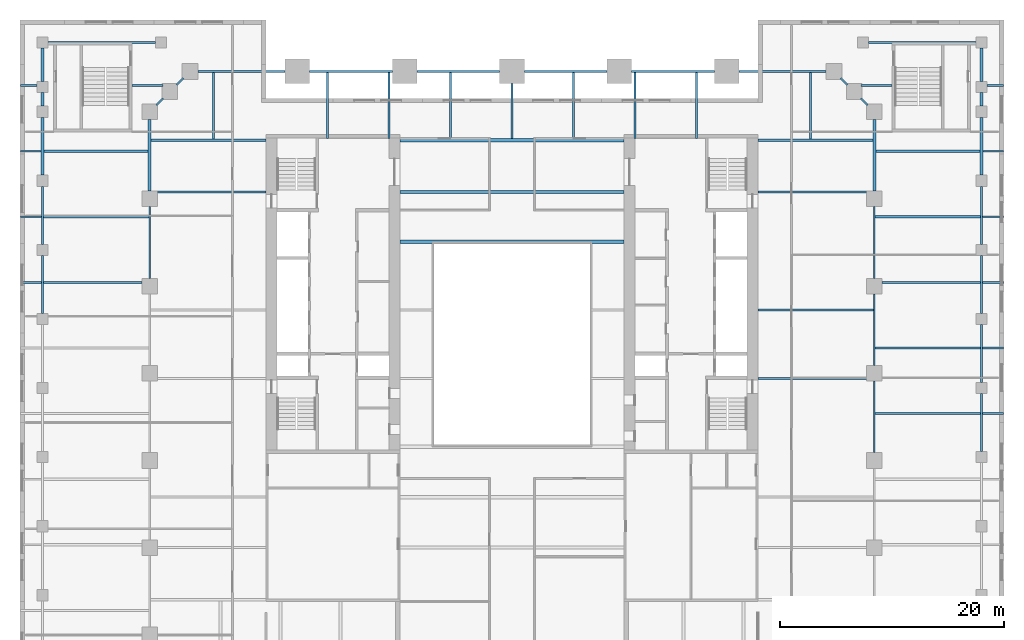
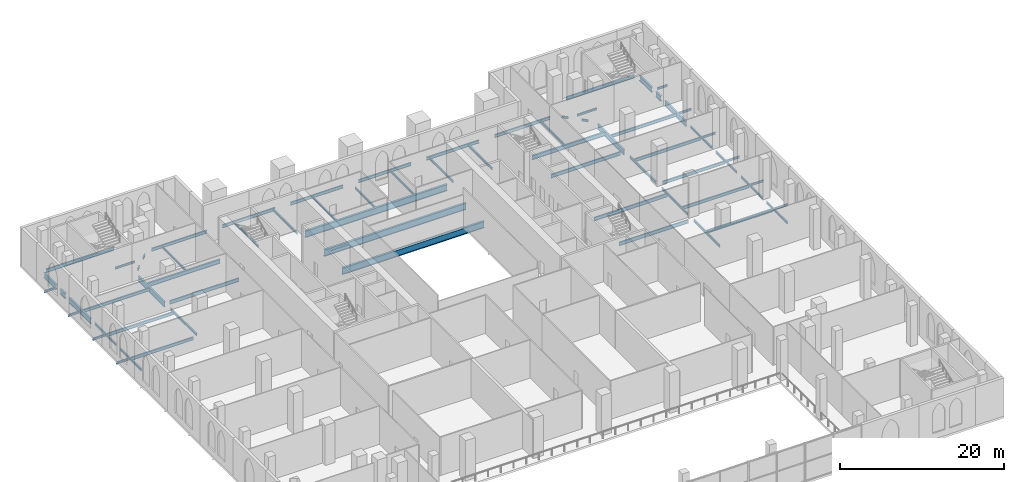
# One storey, part 6 of 21: 68 beams.
"""IFC4 building model written with IfcOpenShell, lengths in metres."""

from ifc_helpers import new_model, si_unit, direction, frame, origin, origin_2d, place, context, subcontext, project, spatial, i_section, extrude, material, material_profile, profile_set, type_object, element, save


model = new_model("IFC4")

# Units and contexts
model_context = context("Model", 3, precision=1e-05, world=origin(), true_north=direction((0.0, 1.0)))
body_context = subcontext(model_context, "Body", "Model", "MODEL_VIEW")
ifc_project = project(units=[si_unit("LENGTHUNIT", "METRE"), si_unit("AREAUNIT", "SQUARE_METRE"), si_unit("VOLUMEUNIT", "CUBIC_METRE"), si_unit("PLANEANGLEUNIT", "RADIAN"), si_unit("MASSUNIT", "GRAM", prefix="KILO")], contexts=[model_context])

# Site, building, storey
site_placement = place(None, origin())
site = spatial("IfcSite", under=ifc_project, at=site_placement, CompositionType="ELEMENT")
building_placement = place(site_placement, origin())
building = spatial("IfcBuilding", under=site, at=building_placement, Name="Ogive Exchange Tower", CompositionType="ELEMENT")
storey_placement = place(building_placement, frame((0.0, 0.0, 8.0)))
storey = spatial("IfcBuildingStorey", under=building, at=storey_placement, Name="L01", CompositionType="ELEMENT", Elevation=8.0)

# Beams
ifc_material = material(Name="Steel ASTM A992 Gr50", Category="steel")
ifc_material_profile_1 = material_profile(ifc_material, i_section(OverallWidth=0.300048828125, OverallDepth=0.969970703125, WebThickness=0.01611328125, FlangeThickness=0.02099609375, at=origin_2d()), Name="W1000x222")
ifc_profile_set_1 = profile_set([ifc_material_profile_1], Name="Steel ASTM A992 Gr50")
beam_type_1 = type_object("IfcBeamType", Name="Floor beam W1000x222", PredefinedType="JOIST", material=ifc_profile_set_1)
beam_1_placement = place(storey_placement, frame((-10.0, 20.62255859375, -0.784912109375), z_axis=(1.0, 0.0, 0.0), x_axis=(0.0, 1.0, 0.0)))
element("IfcBeam", 1, at=beam_1_placement, inside=storey, type_object=beam_type_1, Name="Floor beam", PredefinedType="JOIST", context=body_context, shape_type="SweptSolid", body=[
    extrude(i_section(OverallWidth=0.300048828125, OverallDepth=0.969970703125, WebThickness=0.01611328125, FlangeThickness=0.02099609375, at=origin_2d()), origin(), (0.0, 0.0, 1.0), 20.0),
])
ifc_material_profile_2 = material_profile(ifc_material, i_section(OverallWidth=0.1650390625, OverallDepth=0.31005859375, WebThickness=0.005859375, FlangeThickness=0.009765625, at=origin_2d()), Name="W310x38.7")
ifc_profile_set_2 = profile_set([ifc_material_profile_2], Name="Steel ASTM A992 Gr50")
beam_type_2 = type_object("IfcBeamType", Name="Floor beam W310x38.7", PredefinedType="JOIST", material=ifc_profile_set_2)
for number, where, z_axis, x_axis, name in (
    (2, (-16.5, 25.39990234375, -0.455078125), (0.0, 1.0, 0.0), (-1.0, 0.0, 0.0), "Floor beam"),
    (3, (-11.0, 25.39990234375, -0.455078125), (0.0, 1.0, 0.0), (-1.0, 0.0, 0.0), "Floor beam"),
):
    element("IfcBeam", number, at=place(storey_placement, frame(where, z_axis=z_axis, x_axis=x_axis)), inside=storey, type_object=beam_type_2, Name=name, PredefinedType="JOIST", context=body_context, shape_type="SweptSolid", body=[
        extrude(i_section(OverallWidth=0.1650390625, OverallDepth=0.31005859375, WebThickness=0.005859375, FlangeThickness=0.009765625, at=origin_2d()), origin(), (0.0, 0.0, 1.0), 5.904541015625),
    ])
beam_2_placement = place(storey_placement, frame((-5.5, 25.39501953125, -0.455078125), z_axis=(0.0, 1.0, 0.0), x_axis=(-1.0, 0.0, 0.0)))
element("IfcBeam", 4, at=beam_2_placement, inside=storey, type_object=beam_type_2, Name="Floor beam", PredefinedType="JOIST", context=body_context, shape_type="SweptSolid", body=[
    extrude(i_section(OverallWidth=0.1650390625, OverallDepth=0.31005859375, WebThickness=0.005859375, FlangeThickness=0.009765625, at=origin_2d()), origin(), (0.0, 0.0, 1.0), 5.909423828125),
])
beam_3_placement = place(storey_placement, frame((0.0, 25.39501953125, -0.455078125), z_axis=(0.0, 1.0, 0.0), x_axis=(-1.0, 0.0, 0.0)))
element("IfcBeam", 5, at=beam_3_placement, inside=storey, type_object=beam_type_2, Name="Floor beam", PredefinedType="JOIST", context=body_context, shape_type="SweptSolid", body=[
    extrude(i_section(OverallWidth=0.1650390625, OverallDepth=0.31005859375, WebThickness=0.005859375, FlangeThickness=0.009765625, at=origin_2d()), origin(), (0.0, 0.0, 1.0), 4.905029296875),
])
beam_4_placement = place(storey_placement, frame((5.5, 25.39501953125, -0.455078125), z_axis=(0.0, 1.0, 0.0), x_axis=(-1.0, 0.0, 0.0)))
element("IfcBeam", 6, at=beam_4_placement, inside=storey, type_object=beam_type_2, Name="Floor beam", PredefinedType="JOIST", context=body_context, shape_type="SweptSolid", body=[
    extrude(i_section(OverallWidth=0.1650390625, OverallDepth=0.31005859375, WebThickness=0.005859375, FlangeThickness=0.009765625, at=origin_2d()), origin(), (0.0, 0.0, 1.0), 5.909423828125),
])
for number, where, z_axis, x_axis, name in (
    (7, (11.0, 25.39990234375, -0.455078125), (0.0, 1.0, 0.0), (-1.0, 0.0, 0.0), "Floor beam"),
    (8, (16.5, 25.39990234375, -0.455078125), (0.0, 1.0, 0.0), (-1.0, 0.0, 0.0), "Floor beam"),
):
    element("IfcBeam", number, at=place(storey_placement, frame(where, z_axis=z_axis, x_axis=x_axis)), inside=storey, type_object=beam_type_2, Name=name, PredefinedType="JOIST", context=body_context, shape_type="SweptSolid", body=[
        extrude(i_section(OverallWidth=0.1650390625, OverallDepth=0.31005859375, WebThickness=0.005859375, FlangeThickness=0.009765625, at=origin_2d()), origin(), (0.0, 0.0, 1.0), 5.904541015625),
    ])
for number, where, z_axis, x_axis, name in (
    (9, (26.699951171875, 25.35888671875, -0.455078125), (0.0, 1.0, 0.0), (-1.0, 0.0, 0.0), "Floor beam"),
    (10, (-26.699951171875, 25.35888671875, -0.455078125), (0.0, 1.0, 0.0), (-1.0, 0.0, 0.0), "Floor beam"),
):
    element("IfcBeam", number, at=place(storey_placement, frame(where, z_axis=z_axis, x_axis=x_axis)), inside=storey, type_object=beam_type_2, Name=name, PredefinedType="JOIST", context=body_context, shape_type="SweptSolid", body=[
        extrude(i_section(OverallWidth=0.1650390625, OverallDepth=0.31005859375, WebThickness=0.005859375, FlangeThickness=0.009765625, at=origin_2d()), origin(), (0.0, 0.0, 1.0), 5.945556640625),
    ])
for number, where, z_axis, x_axis, name in (
    (11, (42.08251953125, 0.800048828125, -0.455078125), (1.0, 0.0, 0.0), (0.0, 1.0, 0.0), "Floor beam"),
    (12, (42.08251953125, 6.666748046875, -0.455078125), (1.0, 0.0, 0.0), (0.0, 1.0, 0.0), "Floor beam"),
    (13, (42.08251953125, 12.533203125, -0.455078125), (1.0, 0.0, 0.0), (0.0, 1.0, 0.0), "Floor beam"),
    (14, (42.08251953125, 18.39990234375, -0.455078125), (1.0, 0.0, 0.0), (0.0, 1.0, 0.0), "Floor beam"),
):
    element("IfcBeam", number, at=place(storey_placement, frame(where, z_axis=z_axis, x_axis=x_axis)), inside=storey, type_object=beam_type_2, Name=name, PredefinedType="JOIST", context=body_context, shape_type="SweptSolid", body=[
        extrude(i_section(OverallWidth=0.1650390625, OverallDepth=0.31005859375, WebThickness=0.005859375, FlangeThickness=0.009765625, at=origin_2d()), origin(), (0.0, 0.0, 1.0), 1.867431640625),
    ])
beam_5_placement = place(storey_placement, frame((42.133544921875, 24.2666015625, -0.455078125), z_axis=(1.0, 0.0, 0.0), x_axis=(0.0, 1.0, 0.0)))
element("IfcBeam", 15, at=beam_5_placement, inside=storey, type_object=beam_type_2, Name="Floor beam", PredefinedType="JOIST", context=body_context, shape_type="SweptSolid", body=[
    extrude(i_section(OverallWidth=0.1650390625, OverallDepth=0.31005859375, WebThickness=0.005859375, FlangeThickness=0.009765625, at=origin_2d()), origin(), (0.0, 0.0, 1.0), 1.81640625),
])
beam_6_placement = place(storey_placement, frame((31.199951171875, 30.13330078125, -0.455078125), z_axis=(1.0, 0.0, 0.0), x_axis=(0.0, 1.0, 0.0)))
element("IfcBeam", 16, at=beam_6_placement, inside=storey, type_object=beam_type_2, Name="Floor beam", PredefinedType="JOIST", context=body_context, shape_type="SweptSolid", body=[
    extrude(i_section(OverallWidth=0.1650390625, OverallDepth=0.31005859375, WebThickness=0.005859375, FlangeThickness=0.009765625, at=origin_2d()), origin(), (0.0, 0.0, 1.0), 2.800048828125),
])
beam_7_placement = place(storey_placement, frame((42.5, 30.13330078125, -0.455078125), z_axis=(1.0, 0.0, 0.0), x_axis=(0.0, 1.0, 0.0)))
element("IfcBeam", 17, at=beam_7_placement, inside=storey, type_object=beam_type_2, Name="Floor beam", PredefinedType="JOIST", context=body_context, shape_type="SweptSolid", body=[
    extrude(i_section(OverallWidth=0.1650390625, OverallDepth=0.31005859375, WebThickness=0.005859375, FlangeThickness=0.009765625, at=origin_2d()), origin(), (0.0, 0.0, 1.0), 1.449951171875),
])
for number, where, z_axis, x_axis, name in (
    (18, (-43.949951171875, 12.533203125, -0.455078125), (1.0, 0.0, 0.0), (0.0, 1.0, 0.0), "Floor beam"),
    (19, (-43.949951171875, 18.39990234375, -0.455078125), (1.0, 0.0, 0.0), (0.0, 1.0, 0.0), "Floor beam"),
):
    element("IfcBeam", number, at=place(storey_placement, frame(where, z_axis=z_axis, x_axis=x_axis)), inside=storey, type_object=beam_type_2, Name=name, PredefinedType="JOIST", context=body_context, shape_type="SweptSolid", body=[
        extrude(i_section(OverallWidth=0.1650390625, OverallDepth=0.31005859375, WebThickness=0.005859375, FlangeThickness=0.009765625, at=origin_2d()), origin(), (0.0, 0.0, 1.0), 1.867431640625),
    ])
beam_8_placement = place(storey_placement, frame((-43.949951171875, 24.2666015625, -0.455078125), z_axis=(1.0, 0.0, 0.0), x_axis=(0.0, 1.0, 0.0)))
element("IfcBeam", 20, at=beam_8_placement, inside=storey, type_object=beam_type_2, Name="Floor beam", PredefinedType="JOIST", context=body_context, shape_type="SweptSolid", body=[
    extrude(i_section(OverallWidth=0.1650390625, OverallDepth=0.31005859375, WebThickness=0.005859375, FlangeThickness=0.009765625, at=origin_2d()), origin(), (0.0, 0.0, 1.0), 1.81640625),
])
beam_9_placement = place(storey_placement, frame((-43.949951171875, 30.13330078125, -0.455078125), z_axis=(1.0, 0.0, 0.0), x_axis=(0.0, 1.0, 0.0)))
element("IfcBeam", 21, at=beam_9_placement, inside=storey, type_object=beam_type_2, Name="Floor beam", PredefinedType="JOIST", context=body_context, shape_type="SweptSolid", body=[
    extrude(i_section(OverallWidth=0.1650390625, OverallDepth=0.31005859375, WebThickness=0.005859375, FlangeThickness=0.009765625, at=origin_2d()), origin(), (0.0, 0.0, 1.0), 1.449951171875),
])
beam_10_placement = place(storey_placement, frame((-34.0, 30.13330078125, -0.455078125), z_axis=(1.0, 0.0, 0.0), x_axis=(0.0, 1.0, 0.0)))
element("IfcBeam", 22, at=beam_10_placement, inside=storey, type_object=beam_type_2, Name="Floor beam", PredefinedType="JOIST", context=body_context, shape_type="SweptSolid", body=[
    extrude(i_section(OverallWidth=0.1650390625, OverallDepth=0.31005859375, WebThickness=0.005859375, FlangeThickness=0.009765625, at=origin_2d()), origin(), (0.0, 0.0, 1.0), 2.800048828125),
])
ifc_material_profile_3 = material_profile(ifc_material, i_section(OverallWidth=0.19091796875, OverallDepth=0.45703125, WebThickness=0.009033203125, FlangeThickness=0.014404296875, at=origin_2d()), Name="W460x74")
ifc_profile_set_3 = profile_set([ifc_material_profile_3], Name="Steel ASTM A992 Gr50")
beam_type_3 = type_object("IfcBeamType", Name="Floor beam W460x74", PredefinedType="JOIST", material=ifc_profile_set_3)
for number, where, z_axis, x_axis, name in (
    (23, (32.485595703125, 0.800048828125, -0.528564453125), (1.0, 0.0, 0.0), (0.0, 1.0, 0.0), "Floor beam"),
    (24, (32.485595703125, 6.666748046875, -0.528564453125), (1.0, 0.0, 0.0), (0.0, 1.0, 0.0), "Floor beam"),
):
    element("IfcBeam", number, at=place(storey_placement, frame(where, z_axis=z_axis, x_axis=x_axis)), inside=storey, type_object=beam_type_3, Name=name, PredefinedType="JOIST", context=body_context, shape_type="SweptSolid", body=[
        extrude(i_section(OverallWidth=0.19091796875, OverallDepth=0.45703125, WebThickness=0.009033203125, FlangeThickness=0.014404296875, at=origin_2d()), origin(), (0.0, 0.0, 1.0), 9.431884765625),
    ])
beam_11_placement = place(storey_placement, frame((33.10009765625, 12.533203125, -0.528564453125), z_axis=(1.0, 0.0, 0.0), x_axis=(0.0, 1.0, 0.0)))
element("IfcBeam", 25, at=beam_11_placement, inside=storey, type_object=beam_type_3, Name="Floor beam", PredefinedType="JOIST", context=body_context, shape_type="SweptSolid", body=[
    extrude(i_section(OverallWidth=0.19091796875, OverallDepth=0.45703125, WebThickness=0.009033203125, FlangeThickness=0.014404296875, at=origin_2d()), origin(), (0.0, 0.0, 1.0), 8.8173828125),
])
beam_12_placement = place(storey_placement, frame((32.485595703125, 18.39990234375, -0.528564453125), z_axis=(1.0, 0.0, 0.0), x_axis=(0.0, 1.0, 0.0)))
element("IfcBeam", 26, at=beam_12_placement, inside=storey, type_object=beam_type_3, Name="Floor beam", PredefinedType="JOIST", context=body_context, shape_type="SweptSolid", body=[
    extrude(i_section(OverallWidth=0.19091796875, OverallDepth=0.45703125, WebThickness=0.009033203125, FlangeThickness=0.014404296875, at=origin_2d()), origin(), (0.0, 0.0, 1.0), 9.431884765625),
])
beam_13_placement = place(storey_placement, frame((32.533447265625, 24.2666015625, -0.528564453125), z_axis=(1.0, 0.0, 0.0), x_axis=(0.0, 1.0, 0.0)))
element("IfcBeam", 27, at=beam_13_placement, inside=storey, type_object=beam_type_3, Name="Floor beam", PredefinedType="JOIST", context=body_context, shape_type="SweptSolid", body=[
    extrude(i_section(OverallWidth=0.19091796875, OverallDepth=0.45703125, WebThickness=0.009033203125, FlangeThickness=0.014404296875, at=origin_2d()), origin(), (0.0, 0.0, 1.0), 9.3330078125),
])
beam_14_placement = place(storey_placement, frame((-41.91748046875, 12.533203125, -0.528564453125), z_axis=(1.0, 0.0, 0.0), x_axis=(0.0, 1.0, 0.0)))
element("IfcBeam", 28, at=beam_14_placement, inside=storey, type_object=beam_type_3, Name="Floor beam", PredefinedType="JOIST", context=body_context, shape_type="SweptSolid", body=[
    extrude(i_section(OverallWidth=0.19091796875, OverallDepth=0.45703125, WebThickness=0.009033203125, FlangeThickness=0.014404296875, at=origin_2d()), origin(), (0.0, 0.0, 1.0), 8.8173828125),
])
beam_15_placement = place(storey_placement, frame((-41.91748046875, 18.39990234375, -0.528564453125), z_axis=(1.0, 0.0, 0.0), x_axis=(0.0, 1.0, 0.0)))
element("IfcBeam", 29, at=beam_15_placement, inside=storey, type_object=beam_type_3, Name="Floor beam", PredefinedType="JOIST", context=body_context, shape_type="SweptSolid", body=[
    extrude(i_section(OverallWidth=0.19091796875, OverallDepth=0.45703125, WebThickness=0.009033203125, FlangeThickness=0.014404296875, at=origin_2d()), origin(), (0.0, 0.0, 1.0), 9.431884765625),
])
beam_16_placement = place(storey_placement, frame((-41.866455078125, 24.2666015625, -0.528564453125), z_axis=(1.0, 0.0, 0.0), x_axis=(0.0, 1.0, 0.0)))
element("IfcBeam", 30, at=beam_16_placement, inside=storey, type_object=beam_type_3, Name="Floor beam", PredefinedType="JOIST", context=body_context, shape_type="SweptSolid", body=[
    extrude(i_section(OverallWidth=0.19091796875, OverallDepth=0.45703125, WebThickness=0.009033203125, FlangeThickness=0.014404296875, at=origin_2d()), origin(), (0.0, 0.0, 1.0), 9.3330078125),
])
ifc_material_profile_4 = material_profile(ifc_material, i_section(OverallWidth=0.1669921875, OverallDepth=0.535888671875, WebThickness=0.01025390625, FlangeThickness=0.0166015625, at=origin_2d()), Name="W530x85")
ifc_profile_set_4 = profile_set([ifc_material_profile_4], Name="Steel ASTM A992 Gr50")
beam_type_4 = type_object("IfcBeamType", Name="Floor beam W530x85", PredefinedType="JOIST", material=ifc_profile_set_4)
beam_17_placement = place(storey_placement, frame((22.0, 3.9482421875, -0.568115234375), z_axis=(1.0, 0.0, 0.0), x_axis=(0.0, 1.0, 0.0)))
element("IfcBeam", 31, at=beam_17_placement, inside=storey, type_object=beam_type_4, Name="Floor beam", PredefinedType="JOIST", context=body_context, shape_type="SweptSolid", body=[
    extrude(i_section(OverallWidth=0.1669921875, OverallDepth=0.535888671875, WebThickness=0.01025390625, FlangeThickness=0.0166015625, at=origin_2d()), origin(), (0.0, 0.0, 1.0), 9.800048828125),
])
beam_18_placement = place(storey_placement, frame((22.0, 10.0517578125, -0.568115234375), z_axis=(1.0, 0.0, 0.0), x_axis=(0.0, 1.0, 0.0)))
element("IfcBeam", 32, at=beam_18_placement, inside=storey, type_object=beam_type_4, Name="Floor beam", PredefinedType="JOIST", context=body_context, shape_type="SweptSolid", body=[
    extrude(i_section(OverallWidth=0.1669921875, OverallDepth=0.535888671875, WebThickness=0.01025390625, FlangeThickness=0.0166015625, at=origin_2d()), origin(), (0.0, 0.0, 1.0), 10.344970703125),
])
for number, where, z_axis, x_axis, name in (
    (33, (-31.800048828125, 20.62255859375, -0.568115234375), (1.0, 0.0, 0.0), (0.0, 1.0, 0.0), "Floor beam"),
    (34, (22.0, 20.62255859375, -0.568115234375), (1.0, 0.0, 0.0), (0.0, 1.0, 0.0), "Floor beam"),
):
    element("IfcBeam", number, at=place(storey_placement, frame(where, z_axis=z_axis, x_axis=x_axis)), inside=storey, type_object=beam_type_4, Name=name, PredefinedType="JOIST", context=body_context, shape_type="SweptSolid", body=[
        extrude(i_section(OverallWidth=0.1669921875, OverallDepth=0.535888671875, WebThickness=0.01025390625, FlangeThickness=0.0166015625, at=origin_2d()), origin(), (0.0, 0.0, 1.0), 9.800048828125),
    ])
ifc_material_profile_5 = material_profile(ifc_material, i_section(OverallWidth=0.300048828125, OverallDepth=0.97998046875, WebThickness=0.0166015625, FlangeThickness=0.026123046875, at=origin_2d()), Name="W1000x249")
ifc_profile_set_5 = profile_set([ifc_material_profile_5], Name="Steel ASTM A992 Gr50")
beam_type_5 = type_object("IfcBeamType", Name="Girder W1000x249", PredefinedType="BEAM", material=ifc_profile_set_5)
for number, where, z_axis, x_axis, name in (
    (35, (-10.0, 25.2451171875, -0.7900390625), (1.0, 0.0, 0.0), (0.0, 1.0, 0.0), "Header girder"),
    (36, (-10.0, 16.155029296875, -0.7900390625), (1.0, 0.0, 0.0), (0.0, 1.0, 0.0), "Trimmer girder"),
):
    element("IfcBeam", number, at=place(storey_placement, frame(where, z_axis=z_axis, x_axis=x_axis)), inside=storey, type_object=beam_type_5, Name=name, PredefinedType="BEAM", context=body_context, shape_type="SweptSolid", body=[
        extrude(i_section(OverallWidth=0.300048828125, OverallDepth=0.97998046875, WebThickness=0.0166015625, FlangeThickness=0.026123046875, at=origin_2d()), origin(), (0.0, 0.0, 1.0), 20.0),
    ])
ifc_material_profile_6 = material_profile(ifc_material, i_section(OverallWidth=0.1650390625, OverallDepth=0.31005859375, WebThickness=0.005859375, FlangeThickness=0.009765625, at=origin_2d()), Name="W310x38.7")
ifc_profile_set_6 = profile_set([ifc_material_profile_6], Name="Steel ASTM A992 Gr50")
beam_type_6 = type_object("IfcBeamType", Name="Girder W310x38.7", PredefinedType="BEAM", material=ifc_profile_set_6)
for number, where, z_axis, x_axis, name in (
    (37, (31.805908203125, 28.39404296875, -0.455078125), (-0.706965712506, 0.707247821729, 0.0), (-0.707247821729, -0.706965712506, 0.0), "Girder"),
    (38, (30.006103515625, 30.194091796875, -0.455078125), (-0.707247821729, 0.706965712506, 0.0), (-0.706965712506, -0.707247821729, 0.0), "Girder"),
    (39, (-29.39404296875, 30.805908203125, -0.455078125), (-0.707247821729, -0.706965712506, 0.0), (0.706965712506, -0.707247821729, 0.0), "Girder"),
    (40, (-31.194091796875, 29.006103515625, -0.455078125), (-0.706965712506, -0.707247821729, 0.0), (0.707247821729, -0.706965712506, 0.0), "Girder"),
):
    element("IfcBeam", number, at=place(storey_placement, frame(where, z_axis=z_axis, x_axis=x_axis)), inside=storey, type_object=beam_type_6, Name=name, PredefinedType="BEAM", context=body_context, shape_type="SweptSolid", body=[
        extrude(i_section(OverallWidth=0.1650390625, OverallDepth=0.31005859375, WebThickness=0.005859375, FlangeThickness=0.009765625, at=origin_2d()), origin(), (0.0, 0.0, 1.0), 0.865478515625),
    ])
beam_19_placement = place(storey_placement, frame((42.0, -2.590087890625, -0.455078125), z_axis=(0.0, 1.0, 0.0), x_axis=(-1.0, 0.0, 0.0)))
element("IfcBeam", 41, at=beam_19_placement, inside=storey, type_object=beam_type_6, Name="Girder", PredefinedType="BEAM", context=body_context, shape_type="SweptSolid", body=[
    extrude(i_section(OverallWidth=0.1650390625, OverallDepth=0.31005859375, WebThickness=0.005859375, FlangeThickness=0.009765625, at=origin_2d()), origin(), (0.0, 0.0, 1.0), 5.18017578125),
])
beam_20_placement = place(storey_placement, frame((42.0, 3.590087890625, -0.455078125), z_axis=(0.0, 1.0, 0.0), x_axis=(-1.0, 0.0, 0.0)))
element("IfcBeam", 42, at=beam_20_placement, inside=storey, type_object=beam_type_6, Name="Girder", PredefinedType="BEAM", context=body_context, shape_type="SweptSolid", body=[
    extrude(i_section(OverallWidth=0.1650390625, OverallDepth=0.31005859375, WebThickness=0.005859375, FlangeThickness=0.009765625, at=origin_2d()), origin(), (0.0, 0.0, 1.0), 5.179931640625),
])
beam_21_placement = place(storey_placement, frame((42.0, 9.77001953125, -0.455078125), z_axis=(0.0, 1.0, 0.0), x_axis=(-1.0, 0.0, 0.0)))
element("IfcBeam", 43, at=beam_21_placement, inside=storey, type_object=beam_type_6, Name="Girder", PredefinedType="BEAM", context=body_context, shape_type="SweptSolid", body=[
    extrude(i_section(OverallWidth=0.1650390625, OverallDepth=0.31005859375, WebThickness=0.005859375, FlangeThickness=0.009765625, at=origin_2d()), origin(), (0.0, 0.0, 1.0), 5.169921875),
])
beam_22_placement = place(storey_placement, frame((42.0, 15.93994140625, -0.455078125), z_axis=(0.0, 1.0, 0.0), x_axis=(-1.0, 0.0, 0.0)))
element("IfcBeam", 44, at=beam_22_placement, inside=storey, type_object=beam_type_6, Name="Girder", PredefinedType="BEAM", context=body_context, shape_type="SweptSolid", body=[
    extrude(i_section(OverallWidth=0.1650390625, OverallDepth=0.31005859375, WebThickness=0.005859375, FlangeThickness=0.009765625, at=origin_2d()), origin(), (0.0, 0.0, 1.0), 5.18017578125),
])
beam_23_placement = place(storey_placement, frame((-42.0, 9.77001953125, -0.455078125), z_axis=(0.0, 1.0, 0.0), x_axis=(-1.0, 0.0, 0.0)))
element("IfcBeam", 45, at=beam_23_placement, inside=storey, type_object=beam_type_6, Name="Girder", PredefinedType="BEAM", context=body_context, shape_type="SweptSolid", body=[
    extrude(i_section(OverallWidth=0.1650390625, OverallDepth=0.31005859375, WebThickness=0.005859375, FlangeThickness=0.009765625, at=origin_2d()), origin(), (0.0, 0.0, 1.0), 5.169921875),
])
beam_24_placement = place(storey_placement, frame((-42.0, 15.93994140625, -0.455078125), z_axis=(0.0, 1.0, 0.0), x_axis=(-1.0, 0.0, 0.0)))
element("IfcBeam", 46, at=beam_24_placement, inside=storey, type_object=beam_type_6, Name="Girder", PredefinedType="BEAM", context=body_context, shape_type="SweptSolid", body=[
    extrude(i_section(OverallWidth=0.1650390625, OverallDepth=0.31005859375, WebThickness=0.005859375, FlangeThickness=0.009765625, at=origin_2d()), origin(), (0.0, 0.0, 1.0), 5.18017578125),
])
ifc_material_profile_7 = material_profile(ifc_material, i_section(OverallWidth=0.1708984375, OverallDepth=0.35595703125, WebThickness=0.00732421875, FlangeThickness=0.01171875, at=origin_2d()), Name="W360x51")
ifc_profile_set_7 = profile_set([ifc_material_profile_7], Name="Steel ASTM A992 Gr50")
beam_type_7 = type_object("IfcBeamType", Name="Girder W360x51", PredefinedType="BEAM", material=ifc_profile_set_7)
beam_25_placement = place(storey_placement, frame((32.39990234375, 5.10009765625, -0.47802734375), z_axis=(0.0, 1.0, 0.0), x_axis=(-1.0, 0.0, 0.0)))
element("IfcBeam", 47, at=beam_25_placement, inside=storey, type_object=beam_type_7, Name="Girder", PredefinedType="BEAM", context=body_context, shape_type="SweptSolid", body=[
    extrude(i_section(OverallWidth=0.1708984375, OverallDepth=0.35595703125, WebThickness=0.00732421875, FlangeThickness=0.01171875, at=origin_2d()), origin(), (0.0, 0.0, 1.0), 6.39990234375),
])
for number, where, z_axis, x_axis, name in (
    (48, (32.39990234375, 12.89990234375, -0.47802734375), (0.0, 1.0, 0.0), (-1.0, 0.0, 0.0), "Girder"),
    (49, (-32.39990234375, 19.300048828125, -0.47802734375), (0.0, -1.0, 0.0), (1.0, 0.0, 0.0), "Girder"),
):
    element("IfcBeam", number, at=place(storey_placement, frame(where, z_axis=z_axis, x_axis=x_axis)), inside=storey, type_object=beam_type_7, Name=name, PredefinedType="BEAM", context=body_context, shape_type="SweptSolid", body=[
        extrude(i_section(OverallWidth=0.1708984375, OverallDepth=0.35595703125, WebThickness=0.00732421875, FlangeThickness=0.01171875, at=origin_2d()), origin(), (0.0, 0.0, 1.0), 6.400146484375),
    ])
beam_26_placement = place(storey_placement, frame((32.39990234375, -2.699951171875, -0.47802734375), z_axis=(0.0, 1.0, 0.0), x_axis=(-1.0, 0.0, 0.0)))
element("IfcBeam", 50, at=beam_26_placement, inside=storey, type_object=beam_type_7, Name="Girder", PredefinedType="BEAM", context=body_context, shape_type="SweptSolid", body=[
    extrude(i_section(OverallWidth=0.1708984375, OverallDepth=0.35595703125, WebThickness=0.00732421875, FlangeThickness=0.01171875, at=origin_2d()), origin(), (0.0, 0.0, 1.0), 6.39990234375),
])
ifc_material_profile_8 = material_profile(ifc_material, i_section(OverallWidth=0.19091796875, OverallDepth=0.45703125, WebThickness=0.009033203125, FlangeThickness=0.014404296875, at=origin_2d()), Name="W460x74")
ifc_profile_set_8 = profile_set([ifc_material_profile_8], Name="Steel ASTM A992 Gr50")
beam_type_8 = type_object("IfcBeamType", Name="Girder W460x74", PredefinedType="BEAM", material=ifc_profile_set_8)
beam_27_placement = place(storey_placement, frame((28.10009765625, 31.39990234375, -0.528564453125), z_axis=(-1.0, 0.0, 0.0), x_axis=(0.0, -1.0, 0.0)))
element("IfcBeam", 51, at=beam_27_placement, inside=storey, type_object=beam_type_8, Name="Girder", PredefinedType="BEAM", context=body_context, shape_type="SweptSolid", body=[
    extrude(i_section(OverallWidth=0.19091796875, OverallDepth=0.45703125, WebThickness=0.009033203125, FlangeThickness=0.014404296875, at=origin_2d()), origin(), (0.0, 0.0, 1.0), 7.800048828125),
])
beam_28_placement = place(storey_placement, frame((18.10009765625, 31.39990234375, -0.528564453125), z_axis=(-1.0, 0.0, 0.0), x_axis=(0.0, -1.0, 0.0)))
element("IfcBeam", 52, at=beam_28_placement, inside=storey, type_object=beam_type_8, Name="Girder", PredefinedType="BEAM", context=body_context, shape_type="SweptSolid", body=[
    extrude(i_section(OverallWidth=0.19091796875, OverallDepth=0.45703125, WebThickness=0.009033203125, FlangeThickness=0.014404296875, at=origin_2d()), origin(), (0.0, 0.0, 1.0), 7.400146484375),
])
for number, where, z_axis, x_axis, name in (
    (53, (8.5, 31.39990234375, -0.528564453125), (-1.0, 0.0, 0.0), (0.0, -1.0, 0.0), "Girder"),
    (54, (-1.10009765625, 31.39990234375, -0.528564453125), (-1.0, 0.0, 0.0), (0.0, -1.0, 0.0), "Girder"),
):
    element("IfcBeam", number, at=place(storey_placement, frame(where, z_axis=z_axis, x_axis=x_axis)), inside=storey, type_object=beam_type_8, Name=name, PredefinedType="BEAM", context=body_context, shape_type="SweptSolid", body=[
        extrude(i_section(OverallWidth=0.19091796875, OverallDepth=0.45703125, WebThickness=0.009033203125, FlangeThickness=0.014404296875, at=origin_2d()), origin(), (0.0, 0.0, 1.0), 7.39990234375),
    ])
beam_29_placement = place(storey_placement, frame((-10.699951171875, 31.39990234375, -0.528564453125), z_axis=(-1.0, 0.0, 0.0), x_axis=(0.0, -1.0, 0.0)))
element("IfcBeam", 55, at=beam_29_placement, inside=storey, type_object=beam_type_8, Name="Girder", PredefinedType="BEAM", context=body_context, shape_type="SweptSolid", body=[
    extrude(i_section(OverallWidth=0.19091796875, OverallDepth=0.45703125, WebThickness=0.009033203125, FlangeThickness=0.014404296875, at=origin_2d()), origin(), (0.0, 0.0, 1.0), 7.400146484375),
])
beam_30_placement = place(storey_placement, frame((-20.300048828125, 31.39990234375, -0.528564453125), z_axis=(-1.0, 0.0, 0.0), x_axis=(0.0, -1.0, 0.0)))
element("IfcBeam", 56, at=beam_30_placement, inside=storey, type_object=beam_type_8, Name="Girder", PredefinedType="BEAM", context=body_context, shape_type="SweptSolid", body=[
    extrude(i_section(OverallWidth=0.19091796875, OverallDepth=0.45703125, WebThickness=0.009033203125, FlangeThickness=0.014404296875, at=origin_2d()), origin(), (0.0, 0.0, 1.0), 7.800048828125),
])
ifc_material_profile_9 = material_profile(ifc_material, i_section(OverallWidth=0.1669921875, OverallDepth=0.535888671875, WebThickness=0.01025390625, FlangeThickness=0.0166015625, at=origin_2d()), Name="W530x85")
ifc_profile_set_9 = profile_set([ifc_material_profile_9], Name="Steel ASTM A992 Gr50")
beam_type_9 = type_object("IfcBeamType", Name="Girder W530x85", PredefinedType="BEAM", material=ifc_profile_set_9)
for number, where, z_axis, x_axis, name in (
    (57, (31.89990234375, 34.0, -0.568115234375), (1.0, 0.0, 0.0), (0.0, 1.0, 0.0), "Girder"),
    (58, (-41.5, 34.0, -0.568115234375), (1.0, 0.0, 0.0), (0.0, 1.0, 0.0), "Girder"),
):
    element("IfcBeam", number, at=place(storey_placement, frame(where, z_axis=z_axis, x_axis=x_axis)), inside=storey, type_object=beam_type_9, Name=name, PredefinedType="BEAM", context=body_context, shape_type="SweptSolid", body=[
        extrude(i_section(OverallWidth=0.1669921875, OverallDepth=0.535888671875, WebThickness=0.01025390625, FlangeThickness=0.0166015625, at=origin_2d()), origin(), (0.0, 0.0, 1.0), 9.60009765625),
    ])
ifc_material_profile_10 = material_profile(ifc_material, i_section(OverallWidth=0.22802734375, OverallDepth=0.60205078125, WebThickness=0.010498046875, FlangeThickness=0.014892578125, at=origin_2d()), Name="W610x101")
ifc_profile_set_10 = profile_set([ifc_material_profile_10], Name="Steel ASTM A992 Gr50")
beam_type_10 = type_object("IfcBeamType", Name="Girder W610x101", PredefinedType="BEAM", material=ifc_profile_set_10)
for number, where, z_axis, x_axis, name in (
    (59, (22.0, 25.2451171875, -0.60107421875), (1.0, 0.0, 0.0), (0.0, 1.0, 0.0), "Header girder"),
    (60, (-22.0, 25.2451171875, -0.60107421875), (-1.0, 0.0, 0.0), (0.0, -1.0, 0.0), "Header girder"),
):
    element("IfcBeam", number, at=place(storey_placement, frame(where, z_axis=z_axis, x_axis=x_axis)), inside=storey, type_object=beam_type_10, Name=name, PredefinedType="BEAM", context=body_context, shape_type="SweptSolid", body=[
        extrude(i_section(OverallWidth=0.22802734375, OverallDepth=0.60205078125, WebThickness=0.010498046875, FlangeThickness=0.014892578125, at=origin_2d()), origin(), (0.0, 0.0, 1.0), 10.344970703125),
    ])
ifc_material_profile_11 = material_profile(ifc_material, i_section(OverallWidth=0.26708984375, OverallDepth=0.75390625, WebThickness=0.01318359375, FlangeThickness=0.01708984375, at=origin_2d()), Name="W760x147")
ifc_profile_set_11 = profile_set([ifc_material_profile_11], Name="Steel ASTM A992 Gr50")
beam_type_11 = type_object("IfcBeamType", Name="Girder W760x147", PredefinedType="BEAM", material=ifc_profile_set_11)
for number, where, z_axis, x_axis, name in (
    (61, (32.39990234375, 20.699951171875, -0.677001953125), (0.0, 1.0, 0.0), (-1.0, 0.0, 0.0), "Girder"),
    (62, (-32.39990234375, 27.10009765625, -0.677001953125), (0.0, -1.0, 0.0), (1.0, 0.0, 0.0), "Girder"),
):
    element("IfcBeam", number, at=place(storey_placement, frame(where, z_axis=z_axis, x_axis=x_axis)), inside=storey, type_object=beam_type_11, Name=name, PredefinedType="BEAM", context=body_context, shape_type="SweptSolid", body=[
        extrude(i_section(OverallWidth=0.26708984375, OverallDepth=0.75390625, WebThickness=0.01318359375, FlangeThickness=0.01708984375, at=origin_2d()), origin(), (0.0, 0.0, 1.0), 6.400146484375),
    ])
beam_31_placement = place(storey_placement, frame((42.0, 22.1201171875, -0.677001953125), z_axis=(0.0, 1.0, 0.0), x_axis=(-1.0, 0.0, 0.0)))
element("IfcBeam", 63, at=beam_31_placement, inside=storey, type_object=beam_type_11, Name="Girder", PredefinedType="BEAM", context=body_context, shape_type="SweptSolid", body=[
    extrude(i_section(OverallWidth=0.26708984375, OverallDepth=0.75390625, WebThickness=0.01318359375, FlangeThickness=0.01708984375, at=origin_2d()), origin(), (0.0, 0.0, 1.0), 5.179931640625),
])
beam_32_placement = place(storey_placement, frame((42.0, 28.300048828125, -0.677001953125), z_axis=(0.0, 1.0, 0.0), x_axis=(-1.0, 0.0, 0.0)))
element("IfcBeam", 64, at=beam_32_placement, inside=storey, type_object=beam_type_11, Name="Girder", PredefinedType="BEAM", context=body_context, shape_type="SweptSolid", body=[
    extrude(i_section(OverallWidth=0.26708984375, OverallDepth=0.75390625, WebThickness=0.01318359375, FlangeThickness=0.01708984375, at=origin_2d()), origin(), (0.0, 0.0, 1.0), 1.199951171875),
])
beam_33_placement = place(storey_placement, frame((42.0, 30.5, -0.677001953125), z_axis=(0.0, 1.0, 0.0), x_axis=(-1.0, 0.0, 0.0)))
element("IfcBeam", 65, at=beam_33_placement, inside=storey, type_object=beam_type_11, Name="Girder", PredefinedType="BEAM", context=body_context, shape_type="SweptSolid", body=[
    extrude(i_section(OverallWidth=0.26708984375, OverallDepth=0.75390625, WebThickness=0.01318359375, FlangeThickness=0.01708984375, at=origin_2d()), origin(), (0.0, 0.0, 1.0), 3.0),
])
beam_34_placement = place(storey_placement, frame((-42.0, 22.1201171875, -0.677001953125), z_axis=(0.0, 1.0, 0.0), x_axis=(-1.0, 0.0, 0.0)))
element("IfcBeam", 66, at=beam_34_placement, inside=storey, type_object=beam_type_11, Name="Girder", PredefinedType="BEAM", context=body_context, shape_type="SweptSolid", body=[
    extrude(i_section(OverallWidth=0.26708984375, OverallDepth=0.75390625, WebThickness=0.01318359375, FlangeThickness=0.01708984375, at=origin_2d()), origin(), (0.0, 0.0, 1.0), 5.179931640625),
])
beam_35_placement = place(storey_placement, frame((-42.0, 28.300048828125, -0.677001953125), z_axis=(0.0, 1.0, 0.0), x_axis=(-1.0, 0.0, 0.0)))
element("IfcBeam", 67, at=beam_35_placement, inside=storey, type_object=beam_type_11, Name="Girder", PredefinedType="BEAM", context=body_context, shape_type="SweptSolid", body=[
    extrude(i_section(OverallWidth=0.26708984375, OverallDepth=0.75390625, WebThickness=0.01318359375, FlangeThickness=0.01708984375, at=origin_2d()), origin(), (0.0, 0.0, 1.0), 1.199951171875),
])
beam_36_placement = place(storey_placement, frame((-42.0, 30.5, -0.677001953125), z_axis=(0.0, 1.0, 0.0), x_axis=(-1.0, 0.0, 0.0)))
element("IfcBeam", 68, at=beam_36_placement, inside=storey, type_object=beam_type_11, Name="Girder", PredefinedType="BEAM", context=body_context, shape_type="SweptSolid", body=[
    extrude(i_section(OverallWidth=0.26708984375, OverallDepth=0.75390625, WebThickness=0.01318359375, FlangeThickness=0.01708984375, at=origin_2d()), origin(), (0.0, 0.0, 1.0), 3.0),
])

save(model, "model.ifc")
